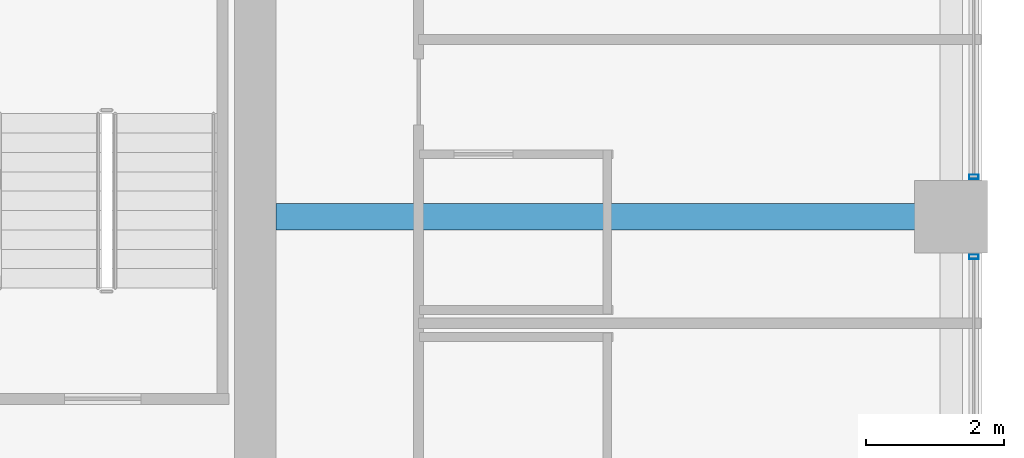
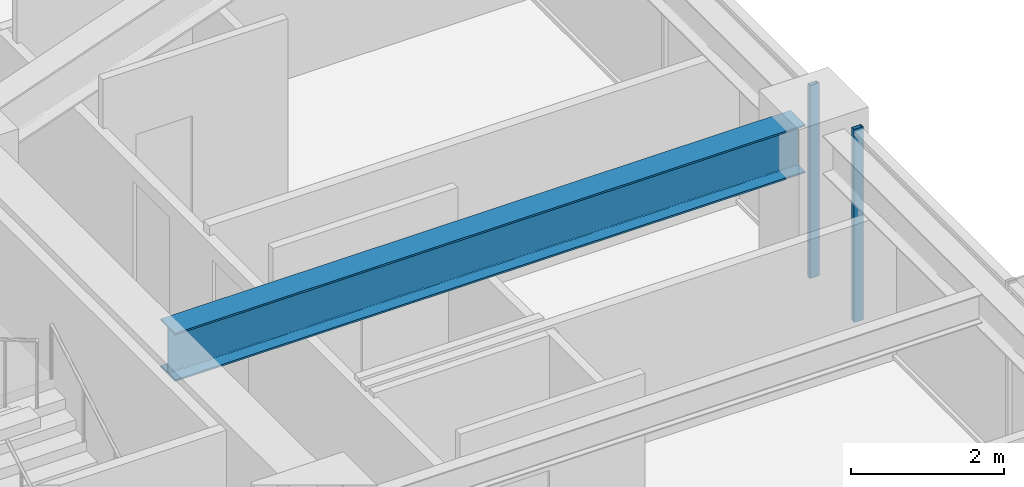
# One storey, part 16 of 38: 2 members, 1 beam, 2 elements without a shape of their own.
"""IFC4 building model written with IfcOpenShell, lengths in metres."""

from ifc_helpers import new_model, si_unit, direction, frame, origin, origin_2d, place, context, subcontext, project, spatial, hollow_rectangle, i_section, extrude, material, material_profile, profile_set, type_object, element, aggregate, save


model = new_model("IFC4")

# Units and contexts
model_context = context("Model", 3, precision=1e-05, world=origin(), true_north=direction((0.0, 1.0)))
body_context = subcontext(model_context, "Body", "Model", "MODEL_VIEW")
ifc_project = project(units=[si_unit("LENGTHUNIT", "METRE"), si_unit("AREAUNIT", "SQUARE_METRE"), si_unit("VOLUMEUNIT", "CUBIC_METRE"), si_unit("PLANEANGLEUNIT", "RADIAN"), si_unit("MASSUNIT", "GRAM", prefix="KILO")], contexts=[model_context])

# Site, building, storey
site_placement = place(None, origin())
site = spatial("IfcSite", under=ifc_project, at=site_placement, CompositionType="ELEMENT")
building_placement = place(site_placement, origin())
building = spatial("IfcBuilding", under=site, at=building_placement, Name="Kolvaren Belvedere", CompositionType="ELEMENT")
storey_placement = place(building_placement, frame((0.0, 0.0, 98.60009765625)))
storey = spatial("IfcBuildingStorey", under=building, at=storey_placement, Name="L28", CompositionType="ELEMENT", Elevation=98.60009765625)

# Beam
ifc_material_1 = material(Name="Structural steel ASTM A992 Grade 50", Category="steel")
ifc_material_profile_1 = material_profile(ifc_material_1, i_section(OverallWidth=0.381103515625, OverallDepth=0.77294921875, WebThickness=0.0166015625, FlangeThickness=0.027099609375, FilletRadius=0.02392578125, at=origin_2d()), Name="W30X173")
ifc_profile_set_1 = profile_set([ifc_material_profile_1], Name="Structural steel ASTM A992 Grade 50")
beam_type = type_object("IfcBeamType", Name="BM-GIRD-W30X173", PredefinedType="BEAM", material=ifc_profile_set_1)
beam_placement = place(storey_placement, frame((10.199951171875, 4.60009765625, 2.693359375), z_axis=(1.0, 0.0, 0.0), x_axis=(0.0, 1.0, 0.0)))
element("IfcBeam", 1, at=beam_placement, inside=storey, type_object=beam_type, Name="L28 East Radial Girder P", PredefinedType="BEAM", context=body_context, shape_type="SweptSolid", body=[
    extrude(i_section(OverallWidth=0.381103515625, OverallDepth=0.77294921875, WebThickness=0.0166015625, FlangeThickness=0.027099609375, FilletRadius=0.02392578125, at=origin_2d()), origin(), (0.0, 0.0, 1.0), 9.513916015625),
])

# Curtain wall, member
ifc_material_2 = material(Name="Anodised pale-metal aluminium AA 6063-T6", Category="aluminium")
curtain_wall_type = type_object("IfcCurtainWallType", Name="CW-Z2-MID", PredefinedType="NOTDEFINED", material=ifc_material_2)
curtain_wall_1_placement = place(storey_placement, origin())
curtain_wall_1 = element("IfcCurtainWall", 2, at=curtain_wall_1_placement, inside=storey, type_object=curtain_wall_type, Name="L28 Unitised Curtain Wall FCW-L28-E-B1", PredefinedType="NOTDEFINED")
ifc_material_3 = material(Name="Anodised pale-metal aluminium AA 6063-T6", Category="aluminium")
ifc_material_profile_2 = material_profile(ifc_material_3, hollow_rectangle(XDim=0.06494140625, YDim=0.139892578125, WallThickness=0.00390625, at=origin_2d()), Name="ALU-MUL-140X65")
ifc_profile_set_2 = profile_set([ifc_material_profile_2], Name="Anodised pale-metal aluminium AA 6063-T6")
member_type = type_object("IfcMemberType", Name="CW-MUL-140", PredefinedType="MULLION", material=ifc_profile_set_2)
member_1_placement = place(storey_placement, frame((20.280029296875, 5.177490234375, 0.0), z_axis=(0.0, 0.0, 1.0), x_axis=(0.0, 1.0, 0.0)))
member_1 = element("IfcMember", 3, at=member_1_placement, type_object=member_type, Name="FCW-L28-E-B1 Unitised Mullion 3", PredefinedType="MULLION", context=body_context, shape_type="SweptSolid", body=[
    extrude(hollow_rectangle(XDim=0.06494140625, YDim=0.139892578125, WallThickness=0.00390625, at=origin_2d()), origin(), (0.0, 0.0, 1.0), 3.079833984375),
])
aggregate(curtain_wall_1, [member_1])

curtain_wall_2_placement = place(storey_placement, origin())
curtain_wall_2 = element("IfcCurtainWall", 4, at=curtain_wall_2_placement, inside=storey, type_object=curtain_wall_type, Name="L28 Unitised Curtain Wall FCW-L28-E-B2", PredefinedType="NOTDEFINED")
member_2_placement = place(storey_placement, frame((20.280029296875, 4.0224609375, 0.0), z_axis=(0.0, 0.0, 1.0), x_axis=(0.0, 1.0, 0.0)))
member_2 = element("IfcMember", 5, at=member_2_placement, type_object=member_type, Name="FCW-L28-E-B2 Unitised Mullion 1", PredefinedType="MULLION", context=body_context, shape_type="SweptSolid", body=[
    extrude(hollow_rectangle(XDim=0.06494140625, YDim=0.139892578125, WallThickness=0.00390625, at=origin_2d()), origin(), (0.0, 0.0, 1.0), 3.079833984375),
])
aggregate(curtain_wall_2, [member_2])

save(model, "model.ifc")
